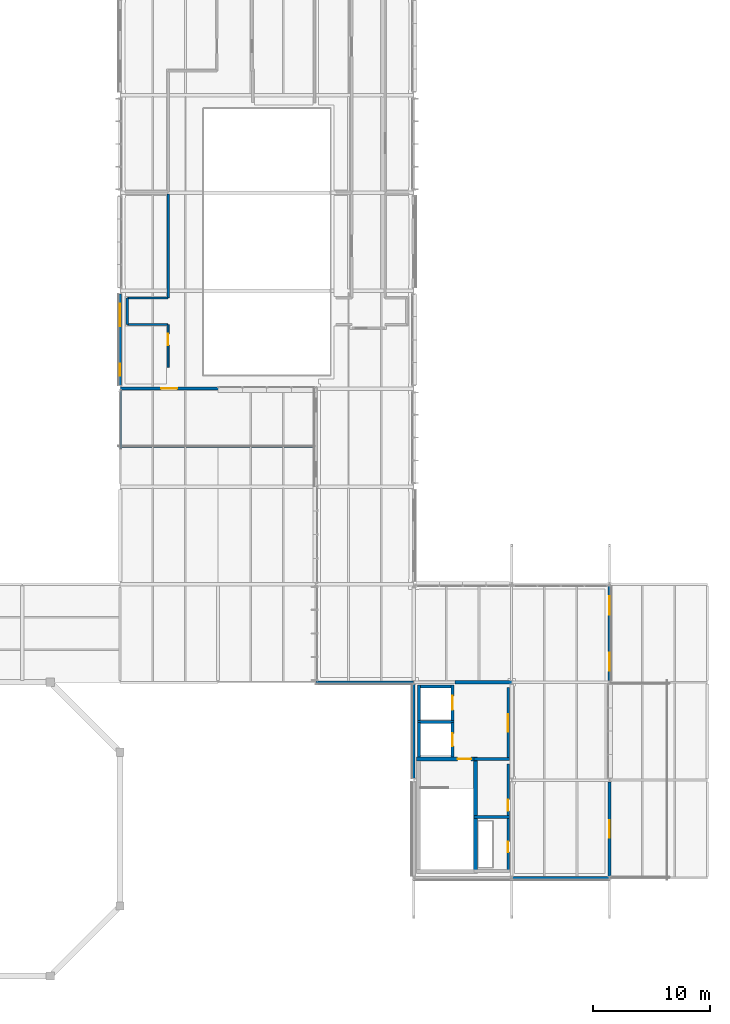
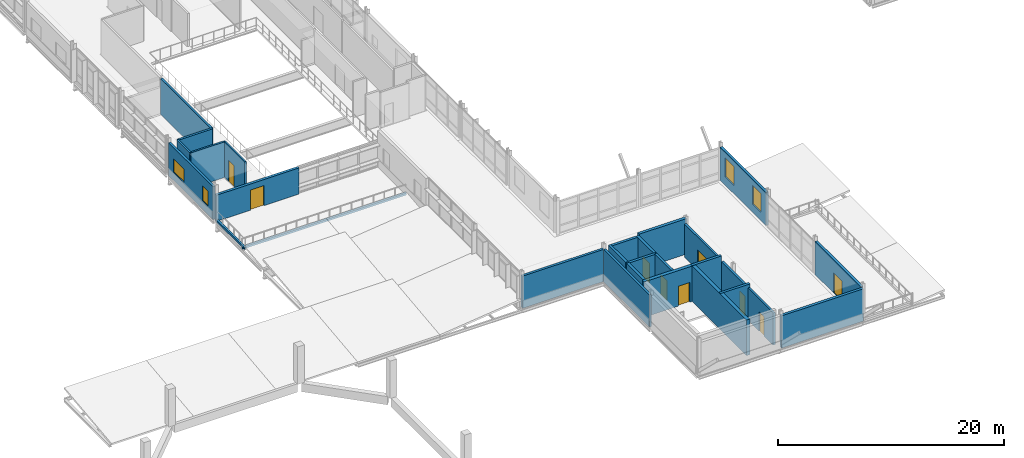
# One storey, part 105 of 131: 28 walls, 9 doors, 4 windows, 13 openings.
"""IFC4 building model written with IfcOpenShell, lengths in metres."""

from ifc_helpers import new_model, si_unit, direction, frame, frame_2d, origin, place, context, subcontext, project, spatial, rectangle, extrude, material, layer, layer_set, type_object, element, fill, save


model = new_model("IFC4")

# Units and contexts
model_context = context("Model", 3, precision=1e-05, world=origin(), true_north=direction((0.0, 1.0)))
body_context = subcontext(model_context, "Body", "Model", "MODEL_VIEW")
ifc_project = project(units=[si_unit("LENGTHUNIT", "METRE"), si_unit("AREAUNIT", "SQUARE_METRE"), si_unit("VOLUMEUNIT", "CUBIC_METRE"), si_unit("PLANEANGLEUNIT", "RADIAN"), si_unit("MASSUNIT", "GRAM", prefix="KILO")], contexts=[model_context])

# Site, building, storey
site_placement = place(None, origin())
site = spatial("IfcSite", under=ifc_project, at=site_placement, CompositionType="ELEMENT")
building_placement = place(site_placement, origin())
building = spatial("IfcBuilding", under=site, at=building_placement, Name="Mersafa Astral City Hall", CompositionType="ELEMENT")
storey_placement = place(building_placement, frame((0.0, 0.0, 13.949951171875)))
storey = spatial("IfcBuildingStorey", under=building, at=storey_placement, Name="L03", CompositionType="ELEMENT", Elevation=13.949951171875)

# Wall
ifc_material_1 = material(Name="Precast concrete C40/50 insulated terracotta spandrel", Category="masonry")
ifc_layer_1 = layer(ifc_material_1, 0.235107421875, Name="Precast concrete C40/50 insulated terracotta spandrel")
ifc_layer_set_1 = layer_set([ifc_layer_1], Name="Precast concrete C40/50 insulated terracotta spandrel — ENV-WAL-EXT-235")
wall_type_1 = type_object("IfcWallType", Name="ENV-WAL-EXT-235", PredefinedType="STANDARD", material=ifc_layer_set_1)
wall_1_placement = place(storey_placement, frame((117.60009765625, 25.053955078125, 0.0), z_axis=(0.0, 0.0, 1.0), x_axis=(0.0, -1.0, 0.0)))
element("IfcWall", 1, at=wall_1_placement, inside=storey, type_object=wall_type_1, Name="L03 Limestone-clad exterior wall 227", PredefinedType="STANDARD", context=body_context, shape_type="SweptSolid", body=[
    extrude(rectangle(XDim=8.10791015625, YDim=0.235107421875, at=frame_2d((4.053955078125, 0.0))), origin(), (0.0, 0.0, 1.0), 3.487060546875),
])

# Wall, openings, windows
wall_2_placement = place(storey_placement, frame((92.39990234375, 58.529052734375, 0.0), z_axis=(0.0, 0.0, 1.0), x_axis=(0.0, -1.0, 0.0)))
wall_2 = element("IfcWall", 2, at=wall_2_placement, inside=storey, type_object=wall_type_1, Name="L03 Limestone-clad exterior wall 281", PredefinedType="STANDARD", context=body_context, shape_type="SweptSolid", body=[
    extrude(rectangle(XDim=7.858154296875, YDim=0.235107421875, at=frame_2d((3.92919921875, 0.0))), origin(), (0.0, 0.0, 1.0), 3.56201171875),
])
opening_1_placement = place(wall_2_placement, frame((0.85009765625, 0.0, 0.89990234375)))
opening_1 = element("IfcOpeningElement", 3, at=opening_1_placement, cuts=wall_2, Name="Opening W-30", PredefinedType="OPENING", context=body_context, shape_type="SweptSolid", body=[
    extrude(rectangle(XDim=1.919921875, YDim=1.449951171875, at=frame_2d((0.9599609375, 0.72509765625))), frame((0.0, 0.12744140625, 0.0), z_axis=(0.0, -1.0, 0.0), x_axis=(1.0, 0.0, 0.0)), (0.0, 0.0, 1.0), 0.255126953125),
])
opening_2_placement = place(wall_2_placement, frame((5.988037109375, 0.0, 0.89990234375)))
opening_2 = element("IfcOpeningElement", 4, at=opening_2_placement, cuts=wall_2, Name="Opening W-31", PredefinedType="OPENING", context=body_context, shape_type="SweptSolid", body=[
    extrude(rectangle(XDim=1.02001953125, YDim=1.64990234375, at=frame_2d((0.510009765625, 0.824951171875))), frame((0.0, 0.12744140625, 0.0), z_axis=(0.0, -1.0, 0.0), x_axis=(1.0, 0.0, 0.0)), (0.0, 0.0, 1.0), 0.255126953125),
])
ifc_material_2 = material(Name="Solar control low-e double glazing in bronze frame", Category="glass")
window_type_1 = type_object("IfcWindowType", Name="ENV-WIN-W-30", PartitioningType="SINGLE_PANEL", PredefinedType="WINDOW", material=ifc_material_2)
window_1_placement = place(opening_1_placement, origin())
window_1 = element("IfcWindow", 5, at=window_1_placement, inside=storey, type_object=window_type_1, Name="L03 Solar punched window 281-L", OverallHeight=1.449951171875, OverallWidth=1.919921875, PartitioningType="SINGLE_PANEL", PredefinedType="WINDOW", context=body_context, shape_type="SweptSolid", body=[
    extrude(rectangle(XDim=1.919921875, YDim=1.449951171875, at=frame_2d((0.9599609375, 0.72509765625))), frame((0.0, 0.030029296875, 0.0), z_axis=(0.0, -1.0, 0.0), x_axis=(1.0, 0.0, 0.0)), (0.0, 0.0, 1.0), 0.06005859375),
])
fill(opening_1, window_1)
window_type_2 = type_object("IfcWindowType", Name="ENV-WIN-W-31", PartitioningType="SINGLE_PANEL", PredefinedType="WINDOW", material=ifc_material_2)
window_2_placement = place(opening_2_placement, origin())
window_2 = element("IfcWindow", 6, at=window_2_placement, inside=storey, type_object=window_type_2, Name="L03 Solar punched window 281-R", OverallHeight=1.64990234375, OverallWidth=1.02001953125, PartitioningType="SINGLE_PANEL", PredefinedType="WINDOW", context=body_context, shape_type="SweptSolid", body=[
    extrude(rectangle(XDim=1.02001953125, YDim=1.64990234375, at=frame_2d((0.510009765625, 0.824951171875))), frame((0.0, 0.030029296875, 0.0), z_axis=(0.0, -1.0, 0.0), x_axis=(1.0, 0.0, 0.0)), (0.0, 0.0, 1.0), 0.06005859375),
])
fill(opening_2, window_2)

# Wall
ifc_layer_2 = layer(ifc_material_1, 0.25, Name="Precast concrete C40/50 insulated terracotta spandrel")
ifc_layer_set_2 = layer_set([ifc_layer_2], Name="Precast concrete C40/50 insulated terracotta spandrel — ENV-WAL-EXT-250")
wall_type_2 = type_object("IfcWallType", Name="ENV-WAL-EXT-250", PredefinedType="STANDARD", material=ifc_layer_set_2)
wall_3_placement = place(storey_placement, frame((109.2080078125, 25.199951171875, 0.0), z_axis=(0.0, 0.0, 1.0), x_axis=(1.0, 0.0, 0.0)))
element("IfcWall", 7, at=wall_3_placement, inside=storey, type_object=wall_type_2, Name="L03 Limestone-clad exterior wall 226", PredefinedType="STANDARD", context=body_context, shape_type="SweptSolid", body=[
    extrude(rectangle(XDim=8.384033203125, YDim=0.25, at=frame_2d((4.19189453125, 0.0))), origin(), (0.0, 0.0, 1.0), 3.47216796875),
])

# Wall, openings, windows
wall_4_placement = place(storey_placement, frame((134.39990234375, 25.345947265625, 0.0), z_axis=(0.0, 0.0, 1.0), x_axis=(0.0, 1.0, 0.0)))
wall_4 = element("IfcWall", 8, at=wall_4_placement, inside=storey, type_object=wall_type_2, Name="L03 Limestone-clad exterior wall 232", PredefinedType="STANDARD", context=body_context, shape_type="SweptSolid", body=[
    extrude(rectangle(XDim=8.108154296875, YDim=0.25, at=frame_2d((4.05419921875, 0.0))), origin(), (0.0, 0.0, 1.0), 3.5771484375),
])
opening_3_placement = place(wall_4_placement, frame((0.85009765625, 0.0, 0.89990234375)))
opening_3 = element("IfcOpeningElement", 9, at=opening_3_placement, cuts=wall_4, Name="Opening W-56", PredefinedType="OPENING", context=body_context, shape_type="SweptSolid", body=[
    extrude(rectangle(XDim=1.52001953125, YDim=2.050048828125, at=frame_2d((0.760009765625, 1.02490234375))), frame((0.0, 0.135009765625, 0.0), z_axis=(0.0, -1.0, 0.0), x_axis=(1.0, 0.0, 0.0)), (0.0, 0.0, 1.0), 0.27001953125),
])
opening_4_placement = place(wall_4_placement, frame((5.637939453125, 0.0, 0.89990234375)))
opening_4 = element("IfcOpeningElement", 10, at=opening_4_placement, cuts=wall_4, Name="Opening W-57", PredefinedType="OPENING", context=body_context, shape_type="SweptSolid", body=[
    extrude(rectangle(XDim=1.6201171875, YDim=2.050048828125, at=frame_2d((0.81005859375, 1.02490234375))), frame((0.0, 0.135009765625, 0.0), z_axis=(0.0, -1.0, 0.0), x_axis=(1.0, 0.0, 0.0)), (0.0, 0.0, 1.0), 0.27001953125),
])
window_type_3 = type_object("IfcWindowType", Name="ENV-WIN-W-56", PartitioningType="SINGLE_PANEL", PredefinedType="WINDOW", material=ifc_material_2)
window_3_placement = place(opening_3_placement, origin())
window_3 = element("IfcWindow", 11, at=window_3_placement, inside=storey, type_object=window_type_3, Name="L03 Solar punched window 232-L", OverallHeight=2.050048828125, OverallWidth=1.52001953125, PartitioningType="SINGLE_PANEL", PredefinedType="WINDOW", context=body_context, shape_type="SweptSolid", body=[
    extrude(rectangle(XDim=1.52001953125, YDim=2.050048828125, at=frame_2d((0.760009765625, 1.02490234375))), frame((0.0, 0.030029296875, 0.0), z_axis=(0.0, -1.0, 0.0), x_axis=(1.0, 0.0, 0.0)), (0.0, 0.0, 1.0), 0.06005859375),
])
fill(opening_3, window_3)
window_type_4 = type_object("IfcWindowType", Name="ENV-WIN-W-57", PartitioningType="SINGLE_PANEL", PredefinedType="WINDOW", material=ifc_material_2)
window_4_placement = place(opening_4_placement, origin())
window_4 = element("IfcWindow", 12, at=window_4_placement, inside=storey, type_object=window_type_4, Name="L03 Solar punched window 232-R", OverallHeight=2.050048828125, OverallWidth=1.6201171875, PartitioningType="SINGLE_PANEL", PredefinedType="WINDOW", context=body_context, shape_type="SweptSolid", body=[
    extrude(rectangle(XDim=1.6201171875, YDim=2.050048828125, at=frame_2d((0.81005859375, 1.02490234375))), frame((0.0, 0.030029296875, 0.0), z_axis=(0.0, -1.0, 0.0), x_axis=(1.0, 0.0, 0.0)), (0.0, 0.0, 1.0), 0.06005859375),
])
fill(opening_4, window_4)

# Wall, opening, door
ifc_material_3 = material(Name="Precast concrete C40/50 insulated limestone wall", Category="masonry")
ifc_layer_3 = layer(ifc_material_3, 0.264892578125, Name="Precast concrete C40/50 insulated limestone wall")
ifc_layer_set_3 = layer_set([ifc_layer_3], Name="Precast concrete C40/50 insulated limestone wall — ENV-WAL-EXT-265")
wall_type_3 = type_object("IfcWallType", Name="ENV-WAL-EXT-265", PredefinedType="STANDARD", material=ifc_layer_set_3)
wall_5_placement = place(storey_placement, frame((134.39990234375, 8.5458984375, 0.0), z_axis=(0.0, 0.0, 1.0), x_axis=(0.0, 1.0, 0.0)))
wall_5 = element("IfcWall", 13, at=wall_5_placement, inside=storey, type_object=wall_type_3, Name="L03 Terrace access facade wall TER-L03-V3S", PredefinedType="STANDARD", context=body_context, shape_type="SweptSolid", body=[
    extrude(rectangle(XDim=8.108154296875, YDim=0.264892578125, at=frame_2d((4.05419921875, 0.0))), origin(), (0.0, 0.0, 1.0), 3.5771484375),
])
opening_5_placement = place(wall_5_placement, frame((3.2939453125, 0.0, 0.0)))
opening_5 = element("IfcOpeningElement", 14, at=opening_5_placement, cuts=wall_5, Name="Opening TD-3", PredefinedType="OPENING", context=body_context, shape_type="SweptSolid", body=[
    extrude(rectangle(XDim=1.52001953125, YDim=2.199951171875, at=frame_2d((0.760009765625, 1.10009765625))), frame((0.0, 0.142333984375, 0.0), z_axis=(0.0, -1.0, 0.0), x_axis=(1.0, 0.0, 0.0)), (0.0, 0.0, 1.0), 0.284912109375),
])
ifc_material_4 = material(Name="Anodised bronze glazed terrace door pair", Category="metal")
door_type_1 = type_object("IfcDoorType", Name="ENV-DR-TER-1520", OperationType="NOTDEFINED", PredefinedType="DOOR", material=ifc_material_4)
door_1_placement = place(opening_5_placement, origin())
door_1 = element("IfcDoor", 15, at=door_1_placement, inside=storey, type_object=door_type_1, Name="L03 Civic Roof Terrace Access Door TER-L03-V3S", OperationType="DOUBLE_DOOR_SINGLE_SWING", OverallHeight=2.199951171875, OverallWidth=1.52001953125, PredefinedType="DOOR", context=body_context, shape_type="SweptSolid", body=[
    extrude(rectangle(XDim=1.52001953125, YDim=2.199951171875, at=frame_2d((0.760009765625, 1.10009765625))), frame((0.0, 0.02490234375, 0.0), z_axis=(0.0, -1.0, 0.0), x_axis=(1.0, 0.0, 0.0)), (0.0, 0.0, 1.0), 0.050048828125),
])
fill(opening_5, door_1)

wall_6_placement = place(storey_placement, frame((92.407958984375, 50.39990234375, 0.0), z_axis=(0.0, 0.0, 1.0), x_axis=(1.0, 0.0, 0.0)))
wall_6 = element("IfcWall", 16, at=wall_6_placement, inside=storey, type_object=wall_type_3, Name="L03 Terrace access facade wall TER-L03-V2S", PredefinedType="STANDARD", context=body_context, shape_type="SweptSolid", body=[
    extrude(rectangle(XDim=8.45703125, YDim=0.264892578125, at=frame_2d((4.228515625, 0.0))), origin(), (0.0, 0.0, 1.0), 2.83203125),
])
opening_6_placement = place(wall_6_placement, frame((3.506103515625, 0.0, 0.0)))
opening_6 = element("IfcOpeningElement", 17, at=opening_6_placement, cuts=wall_6, Name="Opening TD-4", PredefinedType="OPENING", context=body_context, shape_type="SweptSolid", body=[
    extrude(rectangle(XDim=1.3798828125, YDim=2.179931640625, at=frame_2d((0.68994140625, 1.08984375))), frame((0.0, 0.142333984375, 0.0), z_axis=(0.0, -1.0, 0.0), x_axis=(1.0, 0.0, 0.0)), (0.0, 0.0, 1.0), 0.284912109375),
])
ifc_material_5 = material(Name="Anodised bronze glazed terrace door", Category="metal")
door_type_2 = type_object("IfcDoorType", Name="ENV-DR-TER-1380", OperationType="NOTDEFINED", PredefinedType="DOOR", material=ifc_material_5)
door_2_placement = place(opening_6_placement, origin())
door_2 = element("IfcDoor", 18, at=door_2_placement, inside=storey, type_object=door_type_2, Name="L03 Civic Roof Terrace Access Door TER-L03-V2S", OperationType="SINGLE_SWING_LEFT", OverallHeight=2.179931640625, OverallWidth=1.3798828125, PredefinedType="DOOR", context=body_context, shape_type="SweptSolid", body=[
    extrude(rectangle(XDim=1.3798828125, YDim=2.179931640625, at=frame_2d((0.68994140625, 1.08984375))), frame((0.0, 0.02490234375, 0.0), z_axis=(0.0, -1.0, 0.0), x_axis=(1.0, 0.0, 0.0)), (0.0, 0.0, 1.0), 0.050048828125),
])
fill(opening_6, door_2)

# Walls
ifc_layer_4 = layer(ifc_material_3, 0.280029296875, Name="Precast concrete C40/50 insulated limestone wall")
ifc_layer_set_4 = layer_set([ifc_layer_4], Name="Precast concrete C40/50 insulated limestone wall — ENV-WAL-EXT-280")
wall_type_4 = type_object("IfcWallType", Name="ENV-WAL-EXT-280", PredefinedType="STANDARD", material=ifc_layer_set_4)
wall_7_placement = place(storey_placement, frame((126.008056640625, 8.39990234375, 0.0), z_axis=(0.0, 0.0, 1.0), x_axis=(1.0, 0.0, 0.0)))
element("IfcWall", 19, at=wall_7_placement, inside=storey, type_object=wall_type_4, Name="L03 Limestone-clad exterior wall 230", PredefinedType="STANDARD", context=body_context, shape_type="SweptSolid", body=[
    extrude(rectangle(XDim=8.384033203125, YDim=0.280029296875, at=frame_2d((4.19189453125, 0.0))), origin(), (0.0, 0.0, 1.0), 3.487060546875),
])
ifc_material_6 = material(Name="Precast concrete C40/50 parapet", Category="concrete")
ifc_layer_5 = layer(ifc_material_6, 0.199951171875, Name="Precast concrete C40/50 parapet")
ifc_layer_set_5 = layer_set([ifc_layer_5], Name="Precast concrete C40/50 parapet — ENV-WAL-PAR-200")
wall_type_5 = type_object("IfcWallType", Name="ENV-WAL-PAR-200", PredefinedType="PARAPET", material=ifc_layer_set_5)
wall_8_placement = place(storey_placement, frame((92.260009765625, 45.469970703125, 0.0), z_axis=(0.0, 0.0, 1.0), x_axis=(1.0, 0.0, 0.0)))
element("IfcWall", 20, at=wall_8_placement, inside=storey, type_object=wall_type_5, Name="L03 Terrace stone kerb parapet 6", PredefinedType="PARAPET", context=body_context, shape_type="SweptSolid", body=[
    extrude(rectangle(XDim=16.800048828125, YDim=0.199951171875, at=frame_2d((8.39990234375, 0.0))), origin(), (0.0, 0.0, 1.0), 0.219970703125),
])
wall_9_placement = place(storey_placement, frame((92.469970703125, 50.260009765625, 0.0), z_axis=(0.0, 0.0, 1.0), x_axis=(0.0, -1.0, 0.0)))
element("IfcWall", 21, at=wall_9_placement, inside=storey, type_object=wall_type_5, Name="L03 Terrace stone kerb parapet 7", PredefinedType="PARAPET", context=body_context, shape_type="SweptSolid", body=[
    extrude(rectangle(XDim=5.0, YDim=0.199951171875, at=frame_2d((2.5, 0.0))), origin(), (0.0, 0.0, 1.0), 0.219970703125),
])
ifc_material_7 = material(Name="Concrete C40/50", Category="concrete")
ifc_layer_6 = layer(ifc_material_7, 0.260009765625, Name="Concrete C40/50")
ifc_layer_set_6 = layer_set([ifc_layer_6], Name="Concrete C40/50 — INT-WAL-CORE-260")
wall_type_6 = type_object("IfcWallType", Name="INT-WAL-CORE-260", PredefinedType="SHEAR", material=ifc_layer_set_6)
wall_10_placement = place(storey_placement, frame((117.9150390625, 21.784912109375, 0.0), z_axis=(0.0, 0.0, 1.0), x_axis=(1.0, 0.0, 0.0)))
element("IfcWall", 22, at=wall_10_placement, inside=storey, type_object=wall_type_6, Name="L03 Lift LF7 north shaft wall", PredefinedType="SHEAR", context=body_context, shape_type="SweptSolid", body=[
    extrude(rectangle(XDim=3.1298828125, YDim=0.260009765625, at=frame_2d((1.56494140625, 0.0))), origin(), (0.0, 0.0, 1.0), 3.85009765625),
])
wall_11_placement = place(storey_placement, frame((118.044921875, 18.797119140625, 0.0), z_axis=(0.0, 0.0, 1.0), x_axis=(0.0, 1.0, 0.0)))
element("IfcWall", 23, at=wall_11_placement, inside=storey, type_object=wall_type_6, Name="L03 Lift LF7 back shaft wall", PredefinedType="SHEAR", context=body_context, shape_type="SweptSolid", body=[
    extrude(rectangle(XDim=2.947998046875, YDim=0.260009765625, at=frame_2d((1.47412109375, 0.0))), origin(), (0.0, 0.0, 1.0), 3.85009765625),
])

# Wall, opening, door
wall_12_placement = place(storey_placement, frame((120.9150390625, 18.797119140625, 0.0), z_axis=(0.0, 0.0, 1.0), x_axis=(0.0, 1.0, 0.0)))
wall_12 = element("IfcWall", 24, at=wall_12_placement, inside=storey, type_object=wall_type_6, Name="L03 Lift LF7 front shaft wall", PredefinedType="SHEAR", context=body_context, shape_type="SweptSolid", body=[
    extrude(rectangle(XDim=2.947998046875, YDim=0.260009765625, at=frame_2d((1.47412109375, 0.0))), origin(), (0.0, 0.0, 1.0), 3.85009765625),
])
opening_7_placement = place(wall_12_placement, frame((0.924072265625, 0.0, 0.0)))
opening_7 = element("IfcOpeningElement", 25, at=opening_7_placement, cuts=wall_12, Name="Opening LD-1", PredefinedType="OPENING", context=body_context, shape_type="SweptSolid", body=[
    extrude(rectangle(XDim=1.10009765625, YDim=2.14990234375, at=frame_2d((0.550048828125, 1.074951171875))), frame((0.0, 0.139892578125, 0.0), z_axis=(0.0, -1.0, 0.0), x_axis=(1.0, 0.0, 0.0)), (0.0, 0.0, 1.0), 0.280029296875),
])
ifc_material_8 = material(Name="Stainless steel sliding lift landing door", Category="steel")
door_type_3 = type_object("IfcDoorType", Name="INT-DR-LIFT-LD1", OperationType="NOTDEFINED", PredefinedType="DOOR", material=ifc_material_8)
door_3_placement = place(opening_7_placement, origin())
door_3 = element("IfcDoor", 26, at=door_3_placement, inside=storey, type_object=door_type_3, Name="Elevator LF7 Sliding Landing Door L03", OperationType="DOUBLE_DOOR_SLIDING", OverallHeight=2.14990234375, OverallWidth=1.10009765625, PredefinedType="DOOR", context=body_context, shape_type="SweptSolid", body=[
    extrude(rectangle(XDim=1.10009765625, YDim=2.14990234375, at=frame_2d((0.550048828125, 1.074951171875))), frame((0.0, 0.02490234375, 0.0), z_axis=(0.0, -1.0, 0.0), x_axis=(1.0, 0.0, 0.0)), (0.0, 0.0, 1.0), 0.050048828125),
])
fill(opening_7, door_3)

# Walls
wall_13_placement = place(storey_placement, frame((117.9150390625, 24.8349609375, 0.0), z_axis=(0.0, 0.0, 1.0), x_axis=(1.0, 0.0, 0.0)))
element("IfcWall", 27, at=wall_13_placement, inside=storey, type_object=wall_type_6, Name="L03 Lift LF10 north shaft wall", PredefinedType="SHEAR", context=body_context, shape_type="SweptSolid", body=[
    extrude(rectangle(XDim=3.1298828125, YDim=0.260009765625, at=frame_2d((1.56494140625, 0.0))), origin(), (0.0, 0.0, 1.0), 3.85009765625),
])
wall_14_placement = place(storey_placement, frame((118.044921875, 21.905029296875, 0.0), z_axis=(0.0, 0.0, 1.0), x_axis=(0.0, 1.0, 0.0)))
element("IfcWall", 28, at=wall_14_placement, inside=storey, type_object=wall_type_6, Name="L03 Lift LF10 back shaft wall", PredefinedType="SHEAR", context=body_context, shape_type="SweptSolid", body=[
    extrude(rectangle(XDim=3.06005859375, YDim=0.260009765625, at=frame_2d((1.530029296875, 0.0))), origin(), (0.0, 0.0, 1.0), 3.85009765625),
])

# Wall, opening, door
wall_15_placement = place(storey_placement, frame((120.9150390625, 21.905029296875, 0.0), z_axis=(0.0, 0.0, 1.0), x_axis=(0.0, 1.0, 0.0)))
wall_15 = element("IfcWall", 29, at=wall_15_placement, inside=storey, type_object=wall_type_6, Name="L03 Lift LF10 front shaft wall", PredefinedType="SHEAR", context=body_context, shape_type="SweptSolid", body=[
    extrude(rectangle(XDim=3.06005859375, YDim=0.260009765625, at=frame_2d((1.530029296875, 0.0))), origin(), (0.0, 0.0, 1.0), 3.85009765625),
])
opening_8_placement = place(wall_15_placement, frame((0.929931640625, 0.0, 0.0)))
opening_8 = element("IfcOpeningElement", 30, at=opening_8_placement, cuts=wall_15, Name="Opening LD-2", PredefinedType="OPENING", context=body_context, shape_type="SweptSolid", body=[
    extrude(rectangle(XDim=1.199951171875, YDim=2.14990234375, at=frame_2d((0.60009765625, 1.074951171875))), frame((0.0, 0.139892578125, 0.0), z_axis=(0.0, -1.0, 0.0), x_axis=(1.0, 0.0, 0.0)), (0.0, 0.0, 1.0), 0.280029296875),
])
ifc_material_9 = material(Name="Heavy-duty sliding goods lift landing door", Category="metal")
door_type_4 = type_object("IfcDoorType", Name="INT-DR-LIFT-LD2", OperationType="NOTDEFINED", PredefinedType="DOOR", material=ifc_material_9)
door_4_placement = place(opening_8_placement, origin())
door_4 = element("IfcDoor", 31, at=door_4_placement, inside=storey, type_object=door_type_4, Name="Elevator LF10 Sliding Landing Door L03", OperationType="DOUBLE_DOOR_SLIDING", OverallHeight=2.14990234375, OverallWidth=1.199951171875, PredefinedType="DOOR", context=body_context, shape_type="SweptSolid", body=[
    extrude(rectangle(XDim=1.199951171875, YDim=2.14990234375, at=frame_2d((0.60009765625, 1.074951171875))), frame((0.0, 0.02490234375, 0.0), z_axis=(0.0, -1.0, 0.0), x_axis=(1.0, 0.0, 0.0)), (0.0, 0.0, 1.0), 0.050048828125),
])
fill(opening_8, door_4)

# Walls
for number, where, z_axis, x_axis, name in (
    (32, (122.764892578125, 13.635009765625, 0.0), (0.0, 0.0, 1.0), (1.0, 0.0, 0.0), "L03 Core K5 riser-restroom divider wall"),
    (33, (122.764892578125, 18.635009765625, 0.0), (0.0, 0.0, 1.0), (1.0, 0.0, 0.0), "L03 Core K5 restroom-lobby divider wall"),
):
    element("IfcWall", number, at=place(storey_placement, frame(where, z_axis=z_axis, x_axis=x_axis)), inside=storey, type_object=wall_type_6, Name=name, PredefinedType="SHEAR", context=body_context, shape_type="SweptSolid", body=[
        extrude(rectangle(XDim=3.03515625, YDim=0.260009765625, at=frame_2d((1.517578125, 0.0))), origin(), (0.0, 0.0, 1.0), 3.85009765625),
    ])
ifc_layer_7 = layer(ifc_material_7, 0.300048828125, Name="Concrete C40/50")
ifc_layer_set_7 = layer_set([ifc_layer_7], Name="Concrete C40/50 — INT-WAL-CORE-300")
wall_type_7 = type_object("IfcWallType", Name="INT-WAL-CORE-300", PredefinedType="SHEAR", material=ifc_layer_set_7)
wall_16_placement = place(storey_placement, frame((121.14990234375, 25.2099609375, 0.0), z_axis=(0.0, 0.0, 1.0), x_axis=(1.0, 0.0, 0.0)))
element("IfcWall", 34, at=wall_16_placement, inside=storey, type_object=wall_type_7, Name="L03 Core K5 lobby north shear wall", PredefinedType="SHEAR", context=body_context, shape_type="SweptSolid", body=[
    extrude(rectangle(XDim=4.8701171875, YDim=0.300048828125, at=frame_2d((2.43505859375, 0.0))), origin(), (0.0, 0.0, 1.0), 3.85009765625),
])
ifc_layer_8 = layer(ifc_material_7, 0.340087890625, Name="Concrete C40/50")
ifc_layer_set_8 = layer_set([ifc_layer_8], Name="Concrete C40/50 — INT-WAL-CORE-340")
wall_type_8 = type_object("IfcWallType", Name="INT-WAL-CORE-340", PredefinedType="SHEAR", material=ifc_layer_set_8)
wall_17_placement = place(storey_placement, frame((122.9150390625, 8.804931640625, 0.0), z_axis=(0.0, 0.0, 1.0), x_axis=(0.0, 1.0, 0.0)))
element("IfcWall", 35, at=wall_17_placement, inside=storey, type_object=wall_type_8, Name="L03 Core K5 stair east shear wall", PredefinedType="SHEAR", context=body_context, shape_type="SweptSolid", body=[
    extrude(rectangle(XDim=9.989990234375, YDim=0.340087890625, at=frame_2d((4.9951171875, 0.0))), origin(), (0.0, 0.0, 1.0), 3.85009765625),
])

# Wall, opening, door
wall_18_placement = place(storey_placement, frame((117.8349609375, 18.625, 0.0), z_axis=(0.0, 0.0, 1.0), x_axis=(1.0, 0.0, 0.0)))
wall_18 = element("IfcWall", 36, at=wall_18_placement, inside=storey, type_object=wall_type_8, Name="L03 Core K5 stair-lobby fire wall", PredefinedType="SHEAR", context=body_context, shape_type="SweptSolid", body=[
    extrude(rectangle(XDim=5.25, YDim=0.340087890625, at=frame_2d((2.625, 0.0))), origin(), (0.0, 0.0, 1.0), 3.85009765625),
])
opening_9_placement = place(wall_18_placement, frame((3.534912109375, 0.0, 0.0)))
opening_9 = element("IfcOpeningElement", 37, at=opening_9_placement, cuts=wall_18, Name="Opening CD-1", PredefinedType="OPENING", context=body_context, shape_type="SweptSolid", body=[
    extrude(rectangle(XDim=1.14990234375, YDim=2.14990234375, at=frame_2d((0.574951171875, 1.074951171875))), frame((0.0, 0.179931640625, 0.0), z_axis=(0.0, -1.0, 0.0), x_axis=(1.0, 0.0, 0.0)), (0.0, 0.0, 1.0), 0.360107421875),
])
ifc_material_10 = material(Name="Fire-rated steel stair door", Category="steel")
door_type_5 = type_object("IfcDoorType", Name="INT-DR-STAIR-FD90-1150", OperationType="NOTDEFINED", PredefinedType="DOOR", material=ifc_material_10)
door_5_placement = place(opening_9_placement, origin())
door_5 = element("IfcDoor", 38, at=door_5_placement, inside=storey, type_object=door_type_5, Name="L03 Protected Stair ST5 Door", OperationType="SINGLE_SWING_LEFT", OverallHeight=2.14990234375, OverallWidth=1.14990234375, PredefinedType="DOOR", context=body_context, shape_type="SweptSolid", body=[
    extrude(rectangle(XDim=1.14990234375, YDim=2.14990234375, at=frame_2d((0.574951171875, 1.074951171875))), frame((0.0, 0.02490234375, 0.0), z_axis=(0.0, -1.0, 0.0), x_axis=(1.0, 0.0, 0.0)), (0.0, 0.0, 1.0), 0.050048828125),
])
fill(opening_9, door_5)

ifc_material_11 = material(Name="Fire-rated gypsum stud partition", Category="gypsum")
ifc_layer_9 = layer(ifc_material_11, 0.1650390625, Name="Fire-rated gypsum stud partition")
ifc_layer_set_9 = layer_set([ifc_layer_9], Name="Fire-rated gypsum stud partition — INT-WAL-PART-EI60-165")
wall_type_9 = type_object("IfcWallType", Name="INT-WAL-PART-EI60-165", PredefinedType="STANDARD", material=ifc_layer_set_9)
wall_19_placement = place(storey_placement, frame((96.52001953125, 55.89990234375, -0.00390625), z_axis=(0.0, 0.0, 1.0), x_axis=(0.0, -1.0, 0.0)))
wall_19 = element("IfcWall", 39, at=wall_19_placement, inside=storey, type_object=wall_type_9, Name="L03 Interior partition wall 595", PredefinedType="STANDARD", context=body_context, shape_type="SweptSolid", body=[
    extrude(rectangle(XDim=3.6640625, YDim=0.1650390625, at=frame_2d((1.83203125, 0.0))), origin(), (0.0, 0.0, 1.0), 3.85400390625),
])
opening_10_placement = place(wall_19_placement, frame((0.79248046875, 0.0, 0.0)))
opening_10 = element("IfcOpeningElement", 40, at=opening_10_placement, cuts=wall_19, Name="Opening D-29", PredefinedType="OPENING", context=body_context, shape_type="SweptSolid", body=[
    extrude(rectangle(XDim=0.97998046875, YDim=2.300048828125, at=frame_2d((0.489990234375, 1.14990234375))), frame((0.0, 0.092529296875, 0.0), z_axis=(0.0, -1.0, 0.0), x_axis=(1.0, 0.0, 0.0)), (0.0, 0.0, 1.0), 0.18505859375),
])
ifc_material_12 = material(Name="Cedar veneered acoustic fire-rated timber door", Category="wood")
door_type_6 = type_object("IfcDoorType", Name="INT-DR-RM-D-29", OperationType="NOTDEFINED", PredefinedType="DOOR", material=ifc_material_12)
door_6_placement = place(opening_10_placement, origin())
door_6 = element("IfcDoor", 41, at=door_6_placement, inside=storey, type_object=door_type_6, Name="L03 Public Restroom L03-09 Entrance Door", OperationType="SINGLE_SWING_LEFT", OverallHeight=2.300048828125, OverallWidth=0.97998046875, PredefinedType="DOOR", context=body_context, shape_type="SweptSolid", body=[
    extrude(rectangle(XDim=0.97998046875, YDim=2.300048828125, at=frame_2d((0.489990234375, 1.14990234375))), frame((0.0, 0.02490234375, 0.0), z_axis=(0.0, -1.0, 0.0), x_axis=(1.0, 0.0, 0.0)), (0.0, 0.0, 1.0), 0.050048828125),
])
fill(opening_10, door_6)

# Walls
ifc_material_13 = material(Name="Acoustic twin-stud gypsum partition", Category="gypsum")
ifc_layer_10 = layer(ifc_material_13, 0.179931640625, Name="Acoustic twin-stud gypsum partition")
ifc_layer_set_10 = layer_set([ifc_layer_10], Name="Acoustic twin-stud gypsum partition — INT-WAL-PART-EI60-180")
wall_type_10 = type_object("IfcWallType", Name="INT-WAL-PART-EI60-180", PredefinedType="STANDARD", material=ifc_layer_set_10)
wall_20_placement = place(storey_placement, frame((93.02001953125, 55.89990234375, -0.00390625), z_axis=(0.0, 0.0, 1.0), x_axis=(1.0, 0.0, 0.0)))
element("IfcWall", 42, at=wall_20_placement, inside=storey, type_object=wall_type_10, Name="L03 Interior partition wall 594", PredefinedType="STANDARD", context=body_context, shape_type="SweptSolid", body=[
    extrude(rectangle(XDim=3.5, YDim=0.179931640625, at=frame_2d((1.75, 0.0))), origin(), (0.0, 0.0, 1.0), 3.85400390625),
])
ifc_layer_11 = layer(ifc_material_13, 0.195068359375, Name="Acoustic twin-stud gypsum partition")
ifc_layer_set_11 = layer_set([ifc_layer_11], Name="Acoustic twin-stud gypsum partition — INT-WAL-PART-EI60-195")
wall_type_11 = type_object("IfcWallType", Name="INT-WAL-PART-EI60-195", PredefinedType="STANDARD", material=ifc_layer_set_11)
wall_21_placement = place(storey_placement, frame((93.02001953125, 58.179931640625, -0.00390625), z_axis=(0.0, 0.0, 1.0), x_axis=(0.0, -1.0, 0.0)))
element("IfcWall", 43, at=wall_21_placement, inside=storey, type_object=wall_type_11, Name="L03 Interior partition wall 593", PredefinedType="STANDARD", context=body_context, shape_type="SweptSolid", body=[
    extrude(rectangle(XDim=2.280029296875, YDim=0.195068359375, at=frame_2d((1.14013671875, 0.0))), origin(), (0.0, 0.0, 1.0), 3.85400390625),
])

# Wall, opening, door
ifc_material_14 = material(Name="Autoclaved aerated concrete blockwork plastered", Category="masonry")
ifc_layer_12 = layer(ifc_material_14, 0.2099609375, Name="Autoclaved aerated concrete blockwork plastered")
ifc_layer_set_12 = layer_set([ifc_layer_12], Name="Autoclaved aerated concrete blockwork plastered — INT-WAL-PART-EI60-210")
wall_type_12 = type_object("IfcWallType", Name="INT-WAL-PART-EI60-210", PredefinedType="STANDARD", material=ifc_layer_set_12)
wall_22_placement = place(storey_placement, frame((125.699951171875, 9.02001953125, 0.0), z_axis=(0.0, 0.0, 1.0), x_axis=(0.0, 1.0, 0.0)))
wall_22 = element("IfcWall", 44, at=wall_22_placement, inside=storey, type_object=wall_type_12, Name="L03 Core K5 riser corridor partition", PredefinedType="STANDARD", context=body_context, shape_type="SweptSolid", body=[
    extrude(rectangle(XDim=4.590087890625, YDim=0.2099609375, at=frame_2d((2.294921875, 0.0))), origin(), (0.0, 0.0, 1.0), 3.487060546875),
])
opening_11_placement = place(wall_22_placement, frame((1.60009765625, 0.0, 0.0)))
opening_11 = element("IfcOpeningElement", 45, at=opening_11_placement, cuts=wall_22, Name="Opening CD-5", PredefinedType="OPENING", context=body_context, shape_type="SweptSolid", body=[
    extrude(rectangle(XDim=0.89990234375, YDim=2.10009765625, at=frame_2d((0.449951171875, 1.050048828125))), frame((0.0, 0.114990234375, 0.0), z_axis=(0.0, -1.0, 0.0), x_axis=(1.0, 0.0, 0.0)), (0.0, 0.0, 1.0), 0.22998046875),
])
ifc_material_15 = material(Name="Fire-rated steel riser access door", Category="steel")
door_type_7 = type_object("IfcDoorType", Name="INT-DR-RISER-FD60-900", OperationType="NOTDEFINED", PredefinedType="DOOR", material=ifc_material_15)
door_7_placement = place(opening_11_placement, origin())
door_7 = element("IfcDoor", 46, at=door_7_placement, inside=storey, type_object=door_type_7, Name="L03 K5 MEP Riser Access Door", OperationType="SINGLE_SWING_RIGHT", OverallHeight=2.10009765625, OverallWidth=0.89990234375, PredefinedType="DOOR", context=body_context, shape_type="SweptSolid", body=[
    extrude(rectangle(XDim=0.89990234375, YDim=2.10009765625, at=frame_2d((0.449951171875, 1.050048828125))), frame((0.0, 0.02490234375, 0.0), z_axis=(0.0, -1.0, 0.0), x_axis=(1.0, 0.0, 0.0)), (0.0, 0.0, 1.0), 0.050048828125),
])
fill(opening_11, door_7)

wall_23_placement = place(storey_placement, frame((125.699951171875, 13.719970703125, 0.0), z_axis=(0.0, 0.0, 1.0), x_axis=(0.0, 1.0, 0.0)))
wall_23 = element("IfcWall", 47, at=wall_23_placement, inside=storey, type_object=wall_type_12, Name="L03 Core K5 accessible WC corridor partition", PredefinedType="STANDARD", context=body_context, shape_type="SweptSolid", body=[
    extrude(rectangle(XDim=4.47998046875, YDim=0.2099609375, at=frame_2d((2.239990234375, 0.0))), origin(), (0.0, 0.0, 1.0), 3.487060546875),
])
opening_12_placement = place(wall_23_placement, frame((0.449951171875, 0.0, 0.0)))
opening_12 = element("IfcOpeningElement", 48, at=opening_12_placement, cuts=wall_23, Name="Opening CD-4", PredefinedType="OPENING", context=body_context, shape_type="SweptSolid", body=[
    extrude(rectangle(XDim=0.949951171875, YDim=2.14990234375, at=frame_2d((0.47509765625, 1.074951171875))), frame((0.0, 0.114990234375, 0.0), z_axis=(0.0, -1.0, 0.0), x_axis=(1.0, 0.0, 0.0)), (0.0, 0.0, 1.0), 0.22998046875),
])
ifc_material_16 = material(Name="Accessible timber acoustic WC door", Category="wood")
door_type_8 = type_object("IfcDoorType", Name="INT-DR-WC-FD30-950", OperationType="NOTDEFINED", PredefinedType="DOOR", material=ifc_material_16)
door_8_placement = place(opening_12_placement, origin())
door_8 = element("IfcDoor", 49, at=door_8_placement, inside=storey, type_object=door_type_8, Name="L03 K5 Accessible Restroom Door", OperationType="SINGLE_SWING_LEFT", OverallHeight=2.14990234375, OverallWidth=0.949951171875, PredefinedType="DOOR", context=body_context, shape_type="SweptSolid", body=[
    extrude(rectangle(XDim=0.949951171875, YDim=2.14990234375, at=frame_2d((0.47509765625, 1.074951171875))), frame((0.0, 0.02490234375, 0.0), z_axis=(0.0, -1.0, 0.0), x_axis=(1.0, 0.0, 0.0)), (0.0, 0.0, 1.0), 0.050048828125),
])
fill(opening_12, door_8)

wall_24_placement = place(storey_placement, frame((125.699951171875, 18.639892578125, 0.0), z_axis=(0.0, 0.0, 1.0), x_axis=(0.0, 1.0, 0.0)))
wall_24 = element("IfcWall", 50, at=wall_24_placement, inside=storey, type_object=wall_type_12, Name="L03 Core K5 lobby corridor partition", PredefinedType="STANDARD", context=body_context, shape_type="SweptSolid", body=[
    extrude(rectangle(XDim=6.1201171875, YDim=0.2099609375, at=frame_2d((3.06005859375, 0.0))), origin(), (0.0, 0.0, 1.0), 3.5771484375),
])
opening_13_placement = place(wall_24_placement, frame((2.31005859375, 0.0, 0.0)))
opening_13 = element("IfcOpeningElement", 51, at=opening_13_placement, cuts=wall_24, Name="Opening CD-3", PredefinedType="OPENING", context=body_context, shape_type="SweptSolid", body=[
    extrude(rectangle(XDim=1.5, YDim=2.199951171875, at=frame_2d((0.75, 1.10009765625))), frame((0.0, 0.114990234375, 0.0), z_axis=(0.0, -1.0, 0.0), x_axis=(1.0, 0.0, 0.0)), (0.0, 0.0, 1.0), 0.22998046875),
])
ifc_material_17 = material(Name="Fire-rated glazed lobby door pair", Category="metal")
door_type_9 = type_object("IfcDoorType", Name="INT-DR-LOBBY-FD90-1500", OperationType="NOTDEFINED", PredefinedType="DOOR", material=ifc_material_17)
door_9_placement = place(opening_13_placement, origin())
door_9 = element("IfcDoor", 52, at=door_9_placement, inside=storey, type_object=door_type_9, Name="L03 K5 Lift Lobby Fire Door", OperationType="DOUBLE_DOOR_SINGLE_SWING", OverallHeight=2.199951171875, OverallWidth=1.5, PredefinedType="DOOR", context=body_context, shape_type="SweptSolid", body=[
    extrude(rectangle(XDim=1.5, YDim=2.199951171875, at=frame_2d((0.75, 1.10009765625))), frame((0.0, 0.02490234375, 0.0), z_axis=(0.0, -1.0, 0.0), x_axis=(1.0, 0.0, 0.0)), (0.0, 0.0, 1.0), 0.050048828125),
])
fill(opening_13, door_9)

# Walls
wall_25_placement = place(storey_placement, frame((96.52001953125, 58.179931640625, -0.00390625), z_axis=(0.0, 0.0, 1.0), x_axis=(-1.0, 0.0, 0.0)))
element("IfcWall", 53, at=wall_25_placement, inside=storey, type_object=wall_type_12, Name="L03 Interior partition wall 592", PredefinedType="STANDARD", context=body_context, shape_type="SweptSolid", body=[
    extrude(rectangle(XDim=3.5, YDim=0.2099609375, at=frame_2d((1.75, 0.0))), origin(), (0.0, 0.0, 1.0), 3.85400390625),
])
wall_26_placement = place(storey_placement, frame((96.52001953125, 67.110107421875, -0.00390625), z_axis=(0.0, 0.0, 1.0), x_axis=(0.0, -1.0, 0.0)))
element("IfcWall", 54, at=wall_26_placement, inside=storey, type_object=wall_type_12, Name="L03 Interior partition wall 596", PredefinedType="STANDARD", context=body_context, shape_type="SweptSolid", body=[
    extrude(rectangle(XDim=8.93017578125, YDim=0.2099609375, at=frame_2d((4.465087890625, 0.0))), origin(), (0.0, 0.0, 1.0), 3.85400390625),
])

save(model, "model.ifc")
